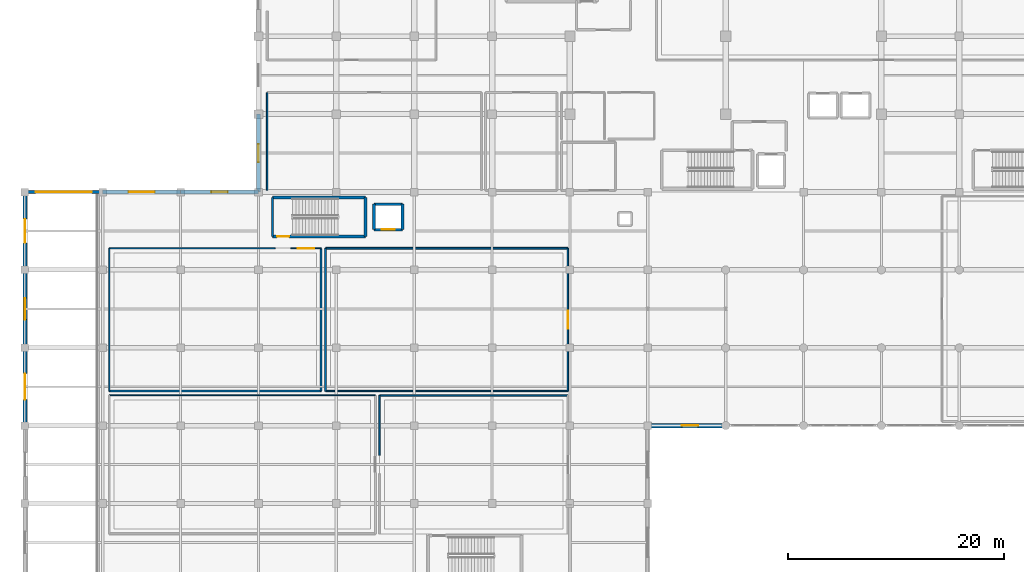
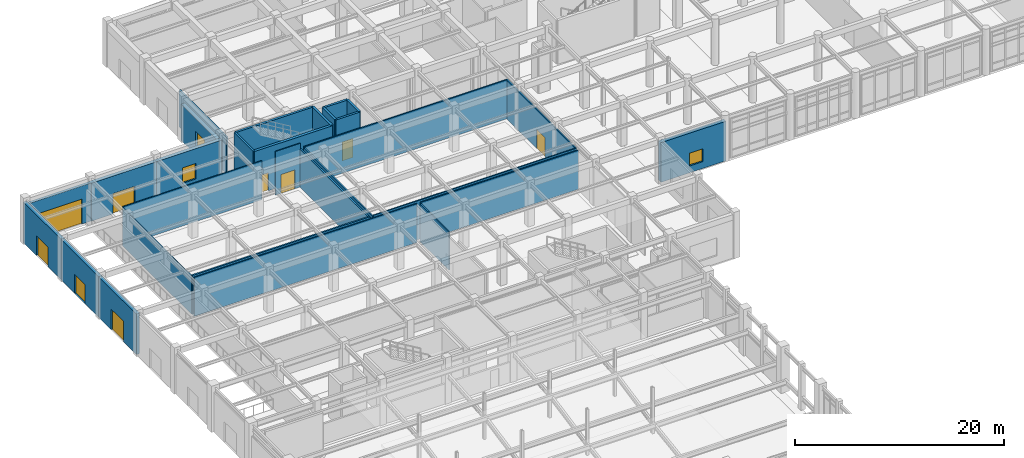
# One storey, part 75 of 102: 29 walls, 9 doors, 3 windows, 12 openings.
"""IFC4 building model written with IfcOpenShell, lengths in metres."""

from ifc_helpers import new_model, si_unit, direction, frame, frame_2d, origin, place, context, subcontext, project, spatial, rectangle, extrude, material, layer, layer_set, type_object, element, fill, save


model = new_model("IFC4")

# Units and contexts
model_context = context("Model", 3, precision=1e-05, world=origin(), true_north=direction((0.0, 1.0)))
body_context = subcontext(model_context, "Body", "Model", "MODEL_VIEW")
ifc_project = project(units=[si_unit("LENGTHUNIT", "METRE"), si_unit("AREAUNIT", "SQUARE_METRE"), si_unit("VOLUMEUNIT", "CUBIC_METRE"), si_unit("PLANEANGLEUNIT", "RADIAN"), si_unit("MASSUNIT", "GRAM", prefix="KILO")], contexts=[model_context])

# Site, building, storey
site_placement = place(None, origin())
site = spatial("IfcSite", under=ifc_project, at=site_placement, CompositionType="ELEMENT")
building_placement = place(site_placement, origin())
building = spatial("IfcBuilding", under=site, at=building_placement, Name="Carrowvane Square Congress Hotel", CompositionType="ELEMENT")
storey_placement = place(building_placement, origin())
storey = spatial("IfcBuildingStorey", under=building, at=storey_placement, Name="L00", CompositionType="ELEMENT", Elevation=0.0)

# Wall, opening, door
ifc_material_1 = material(Name="Portland limestone cladding", Category="masonry")
ifc_layer_1 = layer(ifc_material_1, 0.3798828125)
ifc_layer_set_1 = layer_set([ifc_layer_1], Name="Portland limestone cladding")
wall_type_1 = type_object("IfcWallType", Name="WL-EXT-LS380", PredefinedType="STANDARD", material=ifc_layer_set_1)
wall_1_placement = place(storey_placement, frame((11.60009765625, 70.199951171875, 0.0), z_axis=(0.0, 0.0, 1.0), x_axis=(0.0, 1.0, 0.0)))
wall_1 = element("IfcWall", 1, at=wall_1_placement, inside=storey, type_object=wall_type_1, Name="L00 exterior facade wall 141", PredefinedType="STANDARD", context=body_context, shape_type="SweptSolid", body=[
    extrude(rectangle(XDim=7.199951171875, YDim=0.3798828125, at=frame_2d((3.60009765625, 0.0))), origin(), (0.0, 0.0, 1.0), 4.72705078125),
])
opening_1_placement = place(wall_1_placement, frame((2.39990234375, 0.0, 0.0)))
opening_1 = element("IfcOpeningElement", 2, at=opening_1_placement, cuts=wall_1, Name="Opening ED-3", PredefinedType="OPENING", context=body_context, shape_type="SweptSolid", body=[
    extrude(rectangle(XDim=2.39990234375, YDim=2.39990234375, at=frame_2d((1.199951171875, 1.199951171875))), frame((0.0, 0.199951171875, 0.0), z_axis=(0.0, -1.0, 0.0), x_axis=(1.0, 0.0, 0.0)), (0.0, 0.0, 1.0), 0.39990234375),
])
ifc_material_2 = material(Name="Anodised aluminium", Category="aluminium")
door_type_1 = type_object("IfcDoorType", Name="DR-EXIT-2400", OperationType="DOUBLE_DOOR_SINGLE_SWING", PredefinedType="DOOR", material=ifc_material_2)
door_1_placement = place(opening_1_placement, origin())
door_1 = element("IfcDoor", 3, at=door_1_placement, inside=storey, type_object=door_type_1, Name="L00 final exit door ED-08", OperationType="DOUBLE_DOOR_SINGLE_SWING", OverallHeight=2.39990234375, OverallWidth=2.39990234375, PredefinedType="DOOR", context=body_context, shape_type="SweptSolid", body=[
    extrude(rectangle(XDim=2.39990234375, YDim=2.39990234375, at=frame_2d((1.199951171875, 1.199951171875))), frame((0.0, 0.02490234375, 0.0), z_axis=(0.0, -1.0, 0.0), x_axis=(1.0, 0.0, 0.0)), (0.0, 0.0, 1.0), 0.050048828125),
])
fill(opening_1, door_1)

wall_2_placement = place(storey_placement, frame((11.60009765625, 77.39990234375, 0.0), z_axis=(0.0, 0.0, 1.0), x_axis=(0.0, 1.0, 0.0)))
wall_2 = element("IfcWall", 4, at=wall_2_placement, inside=storey, type_object=wall_type_1, Name="L00 exterior facade wall 142", PredefinedType="STANDARD", context=body_context, shape_type="SweptSolid", body=[
    extrude(rectangle(XDim=7.2001953125, YDim=0.3798828125, at=frame_2d((3.60009765625, 0.0))), origin(), (0.0, 0.0, 1.0), 4.72705078125),
])
opening_2_placement = place(wall_2_placement, frame((2.60009765625, 0.0, 0.0)))
opening_2 = element("IfcOpeningElement", 5, at=opening_2_placement, cuts=wall_2, Name="Opening ED-1", PredefinedType="OPENING", context=body_context, shape_type="SweptSolid", body=[
    extrude(rectangle(XDim=2.0, YDim=2.199951171875, at=frame_2d((1.0, 1.10009765625))), frame((0.0, 0.199951171875, 0.0), z_axis=(0.0, -1.0, 0.0), x_axis=(1.0, 0.0, 0.0)), (0.0, 0.0, 1.0), 0.39990234375),
])
ifc_material_3 = material(Name="Anodised aluminium", Category="aluminium")
door_type_2 = type_object("IfcDoorType", Name="DR-EXIT-2000", OperationType="DOUBLE_DOOR_SINGLE_SWING", PredefinedType="DOOR", material=ifc_material_3)
door_2_placement = place(opening_2_placement, origin())
door_2 = element("IfcDoor", 6, at=door_2_placement, inside=storey, type_object=door_type_2, Name="L00 final exit door ED-09", OperationType="DOUBLE_DOOR_SINGLE_SWING", OverallHeight=2.199951171875, OverallWidth=2.0, PredefinedType="DOOR", context=body_context, shape_type="SweptSolid", body=[
    extrude(rectangle(XDim=2.0, YDim=2.199951171875, at=frame_2d((1.0, 1.10009765625))), frame((0.0, 0.02490234375, 0.0), z_axis=(0.0, -1.0, 0.0), x_axis=(1.0, 0.0, 0.0)), (0.0, 0.0, 1.0), 0.050048828125),
])
fill(opening_2, door_2)

wall_3_placement = place(storey_placement, frame((11.60009765625, 84.60009765625, 0.0), z_axis=(0.0, 0.0, 1.0), x_axis=(0.0, 1.0, 0.0)))
wall_3 = element("IfcWall", 7, at=wall_3_placement, inside=storey, type_object=wall_type_1, Name="L00 exterior facade wall 143", PredefinedType="STANDARD", context=body_context, shape_type="SweptSolid", body=[
    extrude(rectangle(XDim=7.199951171875, YDim=0.3798828125, at=frame_2d((3.60009765625, 0.0))), origin(), (0.0, 0.0, 1.0), 4.72705078125),
])
opening_3_placement = place(wall_3_placement, frame((2.5, 0.0, 0.0)))
opening_3 = element("IfcOpeningElement", 8, at=opening_3_placement, cuts=wall_3, Name="Opening ED-2", PredefinedType="OPENING", context=body_context, shape_type="SweptSolid", body=[
    extrude(rectangle(XDim=2.199951171875, YDim=2.300048828125, at=frame_2d((1.10009765625, 1.14990234375))), frame((0.0, 0.199951171875, 0.0), z_axis=(0.0, -1.0, 0.0), x_axis=(1.0, 0.0, 0.0)), (0.0, 0.0, 1.0), 0.39990234375),
])
ifc_material_4 = material(Name="Anodised aluminium", Category="aluminium")
door_type_3 = type_object("IfcDoorType", Name="DR-EXIT-2200", OperationType="DOUBLE_DOOR_SINGLE_SWING", PredefinedType="DOOR", material=ifc_material_4)
door_3_placement = place(opening_3_placement, origin())
door_3 = element("IfcDoor", 9, at=door_3_placement, inside=storey, type_object=door_type_3, Name="L00 final exit door ED-10", OperationType="DOUBLE_DOOR_SINGLE_SWING", OverallHeight=2.300048828125, OverallWidth=2.199951171875, PredefinedType="DOOR", context=body_context, shape_type="SweptSolid", body=[
    extrude(rectangle(XDim=2.199951171875, YDim=2.300048828125, at=frame_2d((1.10009765625, 1.14990234375))), frame((0.0, 0.02490234375, 0.0), z_axis=(0.0, -1.0, 0.0), x_axis=(1.0, 0.0, 0.0)), (0.0, 0.0, 1.0), 0.050048828125),
])
fill(opening_3, door_3)

# Wall, opening, window
ifc_material_5 = material(Name="Portland limestone cladding", Category="masonry")
ifc_layer_2 = layer(ifc_material_5, 0.419921875)
ifc_layer_set_2 = layer_set([ifc_layer_2], Name="Portland limestone cladding")
wall_type_2 = type_object("IfcWallType", Name="WL-EXT-LS420", PredefinedType="STANDARD", material=ifc_layer_set_2)
wall_4_placement = place(storey_placement, frame((76.39990234375, 70.199951171875, 0.0), z_axis=(0.0, 0.0, 1.0), x_axis=(-1.0, 0.0, 0.0)))
wall_4 = element("IfcWall", 10, at=wall_4_placement, inside=storey, type_object=wall_type_2, Name="L00 exterior facade wall 190", PredefinedType="STANDARD", context=body_context, shape_type="SweptSolid", body=[
    extrude(rectangle(XDim=7.199951171875, YDim=0.419921875, at=frame_2d((3.60009765625, 0.0))), origin(), (0.0, 0.0, 1.0), 4.625),
])
opening_4_placement = place(wall_4_placement, frame((2.550048828125, 0.0, 0.800048828125)))
opening_4 = element("IfcOpeningElement", 11, at=opening_4_placement, cuts=wall_4, Name="Opening W-15", PredefinedType="OPENING", context=body_context, shape_type="SweptSolid", body=[
    extrude(rectangle(XDim=1.5, YDim=1.5, at=frame_2d((0.75, 0.75))), frame((0.0, 0.219970703125, 0.0), z_axis=(0.0, -1.0, 0.0), x_axis=(1.0, 0.0, 0.0)), (0.0, 0.0, 1.0), 0.43994140625),
])
ifc_material_6 = material(Name="Double-glazed low-E glass", Category="glass")
window_type_1 = type_object("IfcWindowType", Name="WIN-15", PartitioningType="SINGLE_PANEL", PredefinedType="WINDOW", material=ifc_material_6)
window_1_placement = place(opening_4_placement, origin())
window_1 = element("IfcWindow", 12, at=window_1_placement, inside=storey, type_object=window_type_1, Name="L00 facade window 26", OverallHeight=1.5, OverallWidth=1.5, PartitioningType="SINGLE_PANEL", PredefinedType="WINDOW", context=body_context, shape_type="SweptSolid", body=[
    extrude(rectangle(XDim=1.5, YDim=1.5, at=frame_2d((0.75, 0.75))), frame((0.0, 0.030029296875, 0.0), z_axis=(0.0, -1.0, 0.0), x_axis=(1.0, 0.0, 0.0)), (0.0, 0.0, 1.0), 0.06005859375),
])
fill(opening_4, window_1)

# Wall, opening, door
ifc_material_7 = material(Name="Precast concrete C40/50", Category="concrete")
ifc_layer_3 = layer(ifc_material_7, 0.2900390625)
ifc_layer_set_3 = layer_set([ifc_layer_3], Name="Precast concrete C40/50")
wall_type_3 = type_object("IfcWallType", Name="WL-EXT-PC290", PredefinedType="STANDARD", material=ifc_layer_set_3)
wall_5_placement = place(storey_placement, frame((11.60009765625, 91.800048828125, 0.0), z_axis=(0.0, 0.0, 1.0), x_axis=(1.0, 0.0, 0.0)))
wall_5 = element("IfcWall", 13, at=wall_5_placement, inside=storey, type_object=wall_type_3, Name="L00 car park ramp portal wall", PredefinedType="STANDARD", context=body_context, shape_type="SweptSolid", body=[
    extrude(rectangle(XDim=7.199951171875, YDim=0.2900390625, at=frame_2d((3.60009765625, 0.0))), origin(), (0.0, 0.0, 1.0), 4.43505859375),
])
opening_5_placement = place(wall_5_placement, frame((1.0, 0.0, 0.0)))
opening_5 = element("IfcOpeningElement", 14, at=opening_5_placement, cuts=wall_5, Name="Opening VG-1", PredefinedType="OPENING", context=body_context, shape_type="SweptSolid", body=[
    extrude(rectangle(XDim=5.199951171875, YDim=2.89990234375, at=frame_2d((2.60009765625, 1.449951171875))), frame((0.0, 0.155029296875, 0.0), z_axis=(0.0, -1.0, 0.0), x_axis=(1.0, 0.0, 0.0)), (0.0, 0.0, 1.0), 0.31005859375),
])
ifc_material_8 = material(Name="Galvanised steel", Category="steel")
door_type_4 = type_object("IfcDoorType", Name="DR-GATE-5200", OperationType="ROLLINGUP", PredefinedType="GATE", material=ifc_material_8)
door_4_placement = place(opening_5_placement, origin())
door_4 = element("IfcDoor", 15, at=door_4_placement, inside=storey, type_object=door_type_4, Name="B01 vehicle ramp roller shutter gate", OperationType="ROLLINGUP", OverallHeight=2.89990234375, OverallWidth=5.199951171875, PredefinedType="GATE", context=body_context, shape_type="SweptSolid", body=[
    extrude(rectangle(XDim=5.199951171875, YDim=2.89990234375, at=frame_2d((2.60009765625, 1.449951171875))), frame((0.0, 0.02490234375, 0.0), z_axis=(0.0, -1.0, 0.0), x_axis=(1.0, 0.0, 0.0)), (0.0, 0.0, 1.0), 0.050048828125),
])
fill(opening_5, door_4)

ifc_material_9 = material(Name="Glazed terracotta rainscreen", Category="masonry")
ifc_layer_4 = layer(ifc_material_9, 0.39990234375)
ifc_layer_set_4 = layer_set([ifc_layer_4], Name="Glazed terracotta rainscreen")
wall_type_4 = type_object("IfcWallType", Name="WL-EXT-TC400", PredefinedType="STANDARD", material=ifc_layer_set_4)
wall_6_placement = place(storey_placement, frame((18.800048828125, 91.800048828125, 0.0), z_axis=(0.0, 0.0, 1.0), x_axis=(1.0, 0.0, 0.0)))
wall_6 = element("IfcWall", 16, at=wall_6_placement, inside=storey, type_object=wall_type_4, Name="L00 exterior facade wall 145", PredefinedType="STANDARD", context=body_context, shape_type="SweptSolid", body=[
    extrude(rectangle(XDim=7.199951171875, YDim=0.39990234375, at=frame_2d((3.60009765625, 0.0))), origin(), (0.0, 0.0, 1.0), 4.43505859375),
])
opening_6_placement = place(wall_6_placement, frame((2.39990234375, 0.0, 0.0)))
opening_6 = element("IfcOpeningElement", 17, at=opening_6_placement, cuts=wall_6, Name="Opening ED-3", PredefinedType="OPENING", context=body_context, shape_type="SweptSolid", body=[
    extrude(rectangle(XDim=2.39990234375, YDim=2.39990234375, at=frame_2d((1.199951171875, 1.199951171875))), frame((0.0, 0.2099609375, 0.0), z_axis=(0.0, -1.0, 0.0), x_axis=(1.0, 0.0, 0.0)), (0.0, 0.0, 1.0), 0.419921875),
])
door_5_placement = place(opening_6_placement, origin())
door_5 = element("IfcDoor", 18, at=door_5_placement, inside=storey, type_object=door_type_1, Name="L00 final exit door ED-11", OperationType="DOUBLE_DOOR_SINGLE_SWING", OverallHeight=2.39990234375, OverallWidth=2.39990234375, PredefinedType="DOOR", context=body_context, shape_type="SweptSolid", body=[
    extrude(rectangle(XDim=2.39990234375, YDim=2.39990234375, at=frame_2d((1.199951171875, 1.199951171875))), frame((0.0, 0.02490234375, 0.0), z_axis=(0.0, -1.0, 0.0), x_axis=(1.0, 0.0, 0.0)), (0.0, 0.0, 1.0), 0.050048828125),
])
fill(opening_6, door_5)

# Wall, opening, window
wall_7_placement = place(storey_placement, frame((26.0, 91.800048828125, 0.0), z_axis=(0.0, 0.0, 1.0), x_axis=(1.0, 0.0, 0.0)))
wall_7 = element("IfcWall", 19, at=wall_7_placement, inside=storey, type_object=wall_type_4, Name="L00 exterior facade wall 146", PredefinedType="STANDARD", context=body_context, shape_type="SweptSolid", body=[
    extrude(rectangle(XDim=7.199951171875, YDim=0.39990234375, at=frame_2d((3.60009765625, 0.0))), origin(), (0.0, 0.0, 1.0), 4.43505859375),
])
opening_7_placement = place(wall_7_placement, frame((2.85009765625, 0.0, 0.89990234375)))
opening_7 = element("IfcOpeningElement", 20, at=opening_7_placement, cuts=wall_7, Name="Opening W-03", PredefinedType="OPENING", context=body_context, shape_type="SweptSolid", body=[
    extrude(rectangle(XDim=1.5, YDim=1.800048828125, at=frame_2d((0.75, 0.89990234375))), frame((0.0, 0.2099609375, 0.0), z_axis=(0.0, -1.0, 0.0), x_axis=(1.0, 0.0, 0.0)), (0.0, 0.0, 1.0), 0.419921875),
])
ifc_material_10 = material(Name="Double-glazed low-E glass", Category="glass")
window_type_2 = type_object("IfcWindowType", Name="WIN-03", PartitioningType="SINGLE_PANEL", PredefinedType="WINDOW", material=ifc_material_10)
window_2_placement = place(opening_7_placement, origin())
window_2 = element("IfcWindow", 21, at=window_2_placement, inside=storey, type_object=window_type_2, Name="L00 facade window 1", OverallHeight=1.800048828125, OverallWidth=1.5, PartitioningType="SINGLE_PANEL", PredefinedType="WINDOW", context=body_context, shape_type="SweptSolid", body=[
    extrude(rectangle(XDim=1.5, YDim=1.800048828125, at=frame_2d((0.75, 0.89990234375))), frame((0.0, 0.030029296875, 0.0), z_axis=(0.0, -1.0, 0.0), x_axis=(1.0, 0.0, 0.0)), (0.0, 0.0, 1.0), 0.06005859375),
])
fill(opening_7, window_2)

wall_8_placement = place(storey_placement, frame((33.199951171875, 91.800048828125, 0.0), z_axis=(0.0, 0.0, 1.0), x_axis=(0.0, 1.0, 0.0)))
wall_8 = element("IfcWall", 22, at=wall_8_placement, inside=storey, type_object=wall_type_4, Name="L00 exterior facade wall 147", PredefinedType="STANDARD", context=body_context, shape_type="SweptSolid", body=[
    extrude(rectangle(XDim=7.199951171875, YDim=0.39990234375, at=frame_2d((3.60009765625, 0.0))), origin(), (0.0, 0.0, 1.0), 4.235107421875),
])
opening_8_placement = place(wall_8_placement, frame((2.77490234375, 0.0, 0.89990234375)))
opening_8 = element("IfcOpeningElement", 23, at=opening_8_placement, cuts=wall_8, Name="Opening W-04", PredefinedType="OPENING", context=body_context, shape_type="SweptSolid", body=[
    extrude(rectangle(XDim=1.64990234375, YDim=1.800048828125, at=frame_2d((0.824951171875, 0.89990234375))), frame((0.0, 0.2099609375, 0.0), z_axis=(0.0, -1.0, 0.0), x_axis=(1.0, 0.0, 0.0)), (0.0, 0.0, 1.0), 0.419921875),
])
ifc_material_11 = material(Name="Double-glazed low-E glass", Category="glass")
window_type_3 = type_object("IfcWindowType", Name="WIN-04", PartitioningType="SINGLE_PANEL", PredefinedType="WINDOW", material=ifc_material_11)
window_3_placement = place(opening_8_placement, origin())
window_3 = element("IfcWindow", 24, at=window_3_placement, inside=storey, type_object=window_type_3, Name="L00 facade window 2", OverallHeight=1.800048828125, OverallWidth=1.64990234375, PartitioningType="SINGLE_PANEL", PredefinedType="WINDOW", context=body_context, shape_type="SweptSolid", body=[
    extrude(rectangle(XDim=1.64990234375, YDim=1.800048828125, at=frame_2d((0.824951171875, 0.89990234375))), frame((0.0, 0.030029296875, 0.0), z_axis=(0.0, -1.0, 0.0), x_axis=(1.0, 0.0, 0.0)), (0.0, 0.0, 1.0), 0.06005859375),
])
fill(opening_8, window_3)

# Walls
ifc_material_12 = material(Name="Acoustic gypsum board", Category="gypsum")
ifc_layer_5 = layer(ifc_material_12, 0.155029296875)
ifc_layer_set_5 = layer_set([ifc_layer_5], Name="Acoustic gypsum board")
wall_type_5 = type_object("IfcWallType", Name="WL-FIR-155", PredefinedType="PARTITIONING", material=ifc_layer_set_5)
wall_9_placement = place(storey_placement, frame((39.39990234375, 73.39990234375, 0.0), z_axis=(0.0, 0.0, 1.0), x_axis=(0.0, 1.0, 0.0)))
element("IfcWall", 25, at=wall_9_placement, inside=storey, type_object=wall_type_5, Name="L00 Spa Female Changing and Lockers partition", PredefinedType="PARTITIONING", context=body_context, shape_type="SweptSolid", body=[
    extrude(rectangle(XDim=13.2001953125, YDim=0.155029296875, at=frame_2d((6.60009765625, 0.0))), origin(), (0.0, 0.0, 1.0), 4.43505859375),
])
wall_10_placement = place(storey_placement, frame((34.0, 91.9599609375, 0.0), z_axis=(0.0, 0.0, 1.0), x_axis=(0.0, 1.0, 0.0)))
element("IfcWall", 26, at=wall_10_placement, inside=storey, type_object=wall_type_5, Name="L00 Concierge and Guest Luggage Room partition", PredefinedType="PARTITIONING", context=body_context, shape_type="SweptSolid", body=[
    extrude(rectangle(XDim=9.0400390625, YDim=0.155029296875, at=frame_2d((4.52001953125, 0.0))), origin(), (0.0, 0.0, 1.0), 4.3349609375),
])
ifc_material_13 = material(Name="Acoustic gypsum board", Category="gypsum")
ifc_layer_6 = layer(ifc_material_13, 0.169921875)
ifc_layer_set_6 = layer_set([ifc_layer_6], Name="Acoustic gypsum board")
wall_type_6 = type_object("IfcWallType", Name="WL-FIR-170", PredefinedType="PARTITIONING", material=ifc_layer_set_6)
wall_11_placement = place(storey_placement, frame((39.0, 73.39990234375, 0.0), z_axis=(0.0, 0.0, 1.0), x_axis=(-1.0, 0.0, 0.0)))
element("IfcWall", 27, at=wall_11_placement, inside=storey, type_object=wall_type_6, Name="L00 Spa Male Changing and Lockers partition", PredefinedType="PARTITIONING", context=body_context, shape_type="SweptSolid", body=[
    extrude(rectangle(XDim=19.60009765625, YDim=0.169921875, at=frame_2d((9.800048828125, 0.0))), origin(), (0.0, 0.0, 1.0), 4.54833984375),
])
ifc_material_14 = material(Name="Acoustic gypsum board", Category="gypsum")
ifc_layer_7 = layer(ifc_material_14, 0.18505859375)
ifc_layer_set_7 = layer_set([ifc_layer_7], Name="Acoustic gypsum board")
wall_type_7 = type_object("IfcWallType", Name="WL-FIR-185", PredefinedType="PARTITIONING", material=ifc_layer_set_7)
wall_12_placement = place(storey_placement, frame((39.0, 86.60009765625, 0.0), z_axis=(0.0, 0.0, 1.0), x_axis=(0.0, -1.0, 0.0)))
element("IfcWall", 28, at=wall_12_placement, inside=storey, type_object=wall_type_7, Name="L00 Spa Male Changing and Lockers partition", PredefinedType="PARTITIONING", context=body_context, shape_type="SweptSolid", body=[
    extrude(rectangle(XDim=13.2001953125, YDim=0.18505859375, at=frame_2d((6.60009765625, 0.0))), origin(), (0.0, 0.0, 1.0), 4.43505859375),
])
ifc_material_15 = material(Name="Acoustic gypsum board", Category="gypsum")
ifc_layer_8 = layer(ifc_material_15, 0.097900390625)
ifc_layer_set_8 = layer_set([ifc_layer_8], Name="Acoustic gypsum board")
wall_type_8 = type_object("IfcWallType", Name="WL-PRT-098", PredefinedType="PARTITIONING", material=ifc_layer_set_8)
wall_13_placement = place(storey_placement, frame((19.39990234375, 73.0, 0.0), z_axis=(0.0, 0.0, 1.0), x_axis=(1.0, 0.0, 0.0)))
element("IfcWall", 29, at=wall_13_placement, inside=storey, type_object=wall_type_8, Name="L00 Thermal Spa Reception Lounge partition", PredefinedType="PARTITIONING", context=body_context, shape_type="SweptSolid", body=[
    extrude(rectangle(XDim=24.60009765625, YDim=0.097900390625, at=frame_2d((12.300048828125, 0.0))), origin(), (0.0, 0.0, 1.0), 4.54833984375),
])

# Wall, opening, door
wall_14_placement = place(storey_placement, frame((36.205078125, 86.60009765625, 0.0), z_axis=(0.0, 0.0, 1.0), x_axis=(1.0, 0.0, 0.0)))
wall_14 = element("IfcWall", 30, at=wall_14_placement, inside=storey, type_object=wall_type_8, Name="L00 Spa Male Changing and Lockers partition", PredefinedType="PARTITIONING", context=body_context, shape_type="SweptSolid", body=[
    extrude(rectangle(XDim=2.794921875, YDim=0.097900390625, at=frame_2d((1.3974609375, 0.0))), origin(), (0.0, 0.0, 1.0), 5.10009765625),
])
opening_9_placement = place(wall_14_placement, frame((0.6474609375, 0.0, 0.0)))
opening_9 = element("IfcOpeningElement", 31, at=opening_9_placement, cuts=wall_14, Name="Opening ID-11", PredefinedType="OPENING", context=body_context, shape_type="SweptSolid", body=[
    extrude(rectangle(XDim=1.5, YDim=2.199951171875, at=frame_2d((0.75, 1.10009765625))), frame((0.0, 0.058837890625, 0.0), z_axis=(0.0, -1.0, 0.0), x_axis=(1.0, 0.0, 0.0)), (0.0, 0.0, 1.0), 0.117919921875),
])
ifc_material_16 = material(Name="European oak timber", Category="wood")
door_type_5 = type_object("IfcDoorType", Name="DR-INT-1500x2200", OperationType="DOUBLE_DOOR_SINGLE_SWING", PredefinedType="DOOR", material=ifc_material_16)
door_6_placement = place(opening_9_placement, origin())
door_6 = element("IfcDoor", 32, at=door_6_placement, inside=storey, type_object=door_type_5, Name="L00 Spa Male Changing and Lockers entrance door", OperationType="DOUBLE_DOOR_SINGLE_SWING", OverallHeight=2.199951171875, OverallWidth=1.5, PredefinedType="DOOR", context=body_context, shape_type="SweptSolid", body=[
    extrude(rectangle(XDim=1.5, YDim=2.199951171875, at=frame_2d((0.75, 1.10009765625))), frame((0.0, 0.02490234375, 0.0), z_axis=(0.0, -1.0, 0.0), x_axis=(1.0, 0.0, 0.0)), (0.0, 0.0, 1.0), 0.050048828125),
])
fill(opening_9, door_6)

# Walls
ifc_material_17 = material(Name="Acoustic gypsum board", Category="gypsum")
ifc_layer_9 = layer(ifc_material_17, 0.10791015625)
ifc_layer_set_9 = layer_set([ifc_layer_9], Name="Acoustic gypsum board")
wall_type_9 = type_object("IfcWallType", Name="WL-PRT-108", PredefinedType="PARTITIONING", material=ifc_layer_set_9)
wall_15_placement = place(storey_placement, frame((19.39990234375, 86.60009765625, 0.0), z_axis=(0.0, 0.0, 1.0), x_axis=(1.0, 0.0, 0.0)))
element("IfcWall", 33, at=wall_15_placement, inside=storey, type_object=wall_type_9, Name="L00 Spa Male Changing and Lockers partition", PredefinedType="PARTITIONING", context=body_context, shape_type="SweptSolid", body=[
    extrude(rectangle(XDim=15.34521484375, YDim=0.10791015625, at=frame_2d((7.672607421875, 0.0))), origin(), (0.0, 0.0, 1.0), 4.54833984375),
])
ifc_material_18 = material(Name="Acoustic gypsum board", Category="gypsum")
ifc_layer_10 = layer(ifc_material_18, 0.117919921875)
ifc_layer_set_10 = layer_set([ifc_layer_10], Name="Acoustic gypsum board")
wall_type_10 = type_object("IfcWallType", Name="WL-PRT-118", PredefinedType="PARTITIONING", material=ifc_layer_set_10)
wall_16_placement = place(storey_placement, frame((19.39990234375, 73.39990234375, 0.0), z_axis=(0.0, 0.0, 1.0), x_axis=(0.0, 1.0, 0.0)))
element("IfcWall", 34, at=wall_16_placement, inside=storey, type_object=wall_type_10, Name="L00 Spa Male Changing and Lockers partition", PredefinedType="PARTITIONING", context=body_context, shape_type="SweptSolid", body=[
    extrude(rectangle(XDim=13.2001953125, YDim=0.117919921875, at=frame_2d((6.60009765625, 0.0))), origin(), (0.0, 0.0, 1.0), 4.43505859375),
])
ifc_material_19 = material(Name="Acoustic gypsum board", Category="gypsum")
ifc_layer_11 = layer(ifc_material_19, 0.1279296875)
ifc_layer_set_11 = layer_set([ifc_layer_11], Name="Acoustic gypsum board")
wall_type_11 = type_object("IfcWallType", Name="WL-PRT-128", PredefinedType="PARTITIONING", material=ifc_layer_set_11)
wall_17_placement = place(storey_placement, frame((61.800048828125, 73.39990234375, 0.0), z_axis=(0.0, 0.0, 1.0), x_axis=(-1.0, 0.0, 0.0)))
element("IfcWall", 35, at=wall_17_placement, inside=storey, type_object=wall_type_11, Name="L00 Spa Female Changing and Lockers partition", PredefinedType="PARTITIONING", context=body_context, shape_type="SweptSolid", body=[
    extrude(rectangle(XDim=22.400146484375, YDim=0.1279296875, at=frame_2d((11.2001953125, 0.0))), origin(), (0.0, 0.0, 1.0), 4.54833984375),
])
ifc_material_20 = material(Name="Acoustic gypsum board", Category="gypsum")
ifc_layer_12 = layer(ifc_material_20, 0.137939453125)
ifc_layer_set_12 = layer_set([ifc_layer_12], Name="Acoustic gypsum board")
wall_type_12 = type_object("IfcWallType", Name="WL-PRT-138", PredefinedType="PARTITIONING", material=ifc_layer_set_12)
wall_18_placement = place(storey_placement, frame((44.39990234375, 73.0, 0.0), z_axis=(0.0, 0.0, 1.0), x_axis=(1.0, 0.0, 0.0)))
element("IfcWall", 36, at=wall_18_placement, inside=storey, type_object=wall_type_12, Name="L00 Botanical Wellness Cafe partition", PredefinedType="PARTITIONING", context=body_context, shape_type="SweptSolid", body=[
    extrude(rectangle(XDim=17.400146484375, YDim=0.137939453125, at=frame_2d((8.7001953125, 0.0))), origin(), (0.0, 0.0, 1.0), 4.54833984375),
])

# Wall, opening, door
wall_19_placement = place(storey_placement, frame((61.800048828125, 86.60009765625, 0.0), z_axis=(0.0, 0.0, 1.0), x_axis=(0.0, -1.0, 0.0)))
wall_19 = element("IfcWall", 37, at=wall_19_placement, inside=storey, type_object=wall_type_12, Name="L00 Spa Female Changing and Lockers partition", PredefinedType="PARTITIONING", context=body_context, shape_type="SweptSolid", body=[
    extrude(rectangle(XDim=13.2001953125, YDim=0.137939453125, at=frame_2d((6.60009765625, 0.0))), origin(), (0.0, 0.0, 1.0), 4.54833984375),
])
opening_10_placement = place(wall_19_placement, frame((5.77490234375, 0.0, 0.0)))
opening_10 = element("IfcOpeningElement", 38, at=opening_10_placement, cuts=wall_19, Name="Opening ID-12", PredefinedType="OPENING", context=body_context, shape_type="SweptSolid", body=[
    extrude(rectangle(XDim=1.64990234375, YDim=2.25, at=frame_2d((0.824951171875, 1.125))), frame((0.0, 0.078857421875, 0.0), z_axis=(0.0, -1.0, 0.0), x_axis=(1.0, 0.0, 0.0)), (0.0, 0.0, 1.0), 0.157958984375),
])
ifc_material_21 = material(Name="European oak timber", Category="wood")
door_type_6 = type_object("IfcDoorType", Name="DR-INT-1650x2250", OperationType="DOUBLE_DOOR_SINGLE_SWING", PredefinedType="DOOR", material=ifc_material_21)
door_7_placement = place(opening_10_placement, origin())
door_7 = element("IfcDoor", 39, at=door_7_placement, inside=storey, type_object=door_type_6, Name="L00 Spa Female Changing and Lockers entrance door", OperationType="DOUBLE_DOOR_SINGLE_SWING", OverallHeight=2.25, OverallWidth=1.64990234375, PredefinedType="DOOR", context=body_context, shape_type="SweptSolid", body=[
    extrude(rectangle(XDim=1.64990234375, YDim=2.25, at=frame_2d((0.824951171875, 1.125))), frame((0.0, 0.02490234375, 0.0), z_axis=(0.0, -1.0, 0.0), x_axis=(1.0, 0.0, 0.0)), (0.0, 0.0, 1.0), 0.050048828125),
])
fill(opening_10, door_7)

# Walls
ifc_material_22 = material(Name="Acoustic gypsum board", Category="gypsum")
ifc_layer_13 = layer(ifc_material_22, 0.14794921875)
ifc_layer_set_13 = layer_set([ifc_layer_13], Name="Acoustic gypsum board")
wall_type_13 = type_object("IfcWallType", Name="WL-PRT-148", PredefinedType="PARTITIONING", material=ifc_layer_set_13)
wall_20_placement = place(storey_placement, frame((44.39990234375, 67.4599609375, 0.0), z_axis=(0.0, 0.0, 1.0), x_axis=(0.0, 1.0, 0.0)))
element("IfcWall", 40, at=wall_20_placement, inside=storey, type_object=wall_type_13, Name="L00 Botanical Wellness Cafe partition", PredefinedType="PARTITIONING", context=body_context, shape_type="SweptSolid", body=[
    extrude(rectangle(XDim=5.5400390625, YDim=0.14794921875, at=frame_2d((2.77001953125, 0.0))), origin(), (0.0, 0.0, 1.0), 4.43505859375),
])
wall_21_placement = place(storey_placement, frame((39.39990234375, 86.60009765625, 0.0), z_axis=(0.0, 0.0, 1.0), x_axis=(1.0, 0.0, 0.0)))
element("IfcWall", 41, at=wall_21_placement, inside=storey, type_object=wall_type_13, Name="L00 Spa Female Changing and Lockers partition", PredefinedType="PARTITIONING", context=body_context, shape_type="SweptSolid", body=[
    extrude(rectangle(XDim=22.400146484375, YDim=0.14794921875, at=frame_2d((11.2001953125, 0.0))), origin(), (0.0, 0.0, 1.0), 4.54833984375),
])
ifc_material_23 = material(Name="Concrete C40/50", Category="concrete")
ifc_layer_14 = layer(ifc_material_23, 0.22509765625)
ifc_layer_set_14 = layer_set([ifc_layer_14], Name="Concrete C40/50")
wall_type_14 = type_object("IfcWallType", Name="WL-SHR-225", PredefinedType="SHEAR", material=ifc_layer_set_14)
wall_22_placement = place(storey_placement, frame((34.5, 91.300048828125, 0.0), z_axis=(0.0, 0.0, 1.0), x_axis=(0.0, -1.0, 0.0)))
element("IfcWall", 42, at=wall_22_placement, inside=storey, type_object=wall_type_14, Name="L00 ST5 core wall west", PredefinedType="SHEAR", context=body_context, shape_type="SweptSolid", body=[
    extrude(rectangle(XDim=3.60009765625, YDim=0.22509765625, at=frame_2d((1.800048828125, 0.0))), origin(), (0.0, 0.0, 1.0), 5.10009765625),
])
ifc_material_24 = material(Name="Concrete C40/50", Category="concrete")
ifc_layer_15 = layer(ifc_material_24, 0.25)
ifc_layer_set_15 = layer_set([ifc_layer_15], Name="Concrete C40/50")
wall_type_15 = type_object("IfcWallType", Name="WL-SHR-250", PredefinedType="SHEAR", material=ifc_layer_set_15)
wall_23_placement = place(storey_placement, frame((43.10009765625, 91.300048828125, 0.0), z_axis=(0.0, 0.0, 1.0), x_axis=(-1.0, 0.0, 0.0)))
element("IfcWall", 43, at=wall_23_placement, inside=storey, type_object=wall_type_15, Name="L00 ST5 core wall north", PredefinedType="SHEAR", context=body_context, shape_type="SweptSolid", body=[
    extrude(rectangle(XDim=8.60009765625, YDim=0.25, at=frame_2d((4.300048828125, 0.0))), origin(), (0.0, 0.0, 1.0), 5.10009765625),
])

# Wall, opening, door
wall_24_placement = place(storey_placement, frame((43.875, 88.324951171875, 0.0), z_axis=(0.0, 0.0, 1.0), x_axis=(1.0, 0.0, 0.0)))
wall_24 = element("IfcWall", 44, at=wall_24_placement, inside=storey, type_object=wall_type_15, Name="L00 CL-2 shaft wall south", PredefinedType="SHEAR", context=body_context, shape_type="SweptSolid", body=[
    extrude(rectangle(XDim=2.64990234375, YDim=0.25, at=frame_2d((1.324951171875, 0.0))), origin(), (0.0, 0.0, 1.0), 5.10009765625),
])
opening_11_placement = place(wall_24_placement, frame((0.72509765625, 0.0, 0.0)))
opening_11 = element("IfcOpeningElement", 45, at=opening_11_placement, cuts=wall_24, Name="Opening LD-CL-2", PredefinedType="OPENING", context=body_context, shape_type="SweptSolid", body=[
    extrude(rectangle(XDim=1.199951171875, YDim=2.199951171875, at=frame_2d((0.60009765625, 1.10009765625))), frame((0.0, 0.135009765625, 0.0), z_axis=(0.0, -1.0, 0.0), x_axis=(1.0, 0.0, 0.0)), (0.0, 0.0, 1.0), 0.27001953125),
])
ifc_material_25 = material(Name="Stainless steel 316", Category="steel")
door_type_7 = type_object("IfcDoorType", Name="DR-LD-1200x2200", OperationType="DOUBLE_DOOR_SLIDING", PredefinedType="DOOR", material=ifc_material_25)
door_8_placement = place(opening_11_placement, origin())
door_8 = element("IfcDoor", 46, at=door_8_placement, inside=storey, type_object=door_type_7, Name="L00 CL-2 sliding lift landing door", OperationType="DOUBLE_DOOR_SLIDING", OverallHeight=2.199951171875, OverallWidth=1.199951171875, PredefinedType="DOOR", context=body_context, shape_type="SweptSolid", body=[
    extrude(rectangle(XDim=1.199951171875, YDim=2.199951171875, at=frame_2d((0.60009765625, 1.10009765625))), frame((0.0, 0.02490234375, 0.0), z_axis=(0.0, -1.0, 0.0), x_axis=(1.0, 0.0, 0.0)), (0.0, 0.0, 1.0), 0.050048828125),
])
fill(opening_11, door_8)

# Walls
wall_25_placement = place(storey_placement, frame((46.52490234375, 88.324951171875, 0.0), z_axis=(0.0, 0.0, 1.0), x_axis=(0.0, 1.0, 0.0)))
element("IfcWall", 47, at=wall_25_placement, inside=storey, type_object=wall_type_15, Name="L00 CL-2 shaft wall east", PredefinedType="SHEAR", context=body_context, shape_type="SweptSolid", body=[
    extrude(rectangle(XDim=2.35009765625, YDim=0.25, at=frame_2d((1.175048828125, 0.0))), origin(), (0.0, 0.0, 1.0), 5.10009765625),
])
wall_26_placement = place(storey_placement, frame((46.52490234375, 90.675048828125, 0.0), z_axis=(0.0, 0.0, 1.0), x_axis=(-1.0, 0.0, 0.0)))
element("IfcWall", 48, at=wall_26_placement, inside=storey, type_object=wall_type_15, Name="L00 CL-2 shaft wall north", PredefinedType="SHEAR", context=body_context, shape_type="SweptSolid", body=[
    extrude(rectangle(XDim=2.64990234375, YDim=0.25, at=frame_2d((1.324951171875, 0.0))), origin(), (0.0, 0.0, 1.0), 5.10009765625),
])
wall_27_placement = place(storey_placement, frame((43.875, 90.675048828125, 0.0), z_axis=(0.0, 0.0, 1.0), x_axis=(0.0, -1.0, 0.0)))
element("IfcWall", 49, at=wall_27_placement, inside=storey, type_object=wall_type_15, Name="L00 CL-2 shaft wall west", PredefinedType="SHEAR", context=body_context, shape_type="SweptSolid", body=[
    extrude(rectangle(XDim=2.35009765625, YDim=0.25, at=frame_2d((1.175048828125, 0.0))), origin(), (0.0, 0.0, 1.0), 5.10009765625),
])
ifc_material_26 = material(Name="Concrete C40/50", Category="concrete")
ifc_layer_16 = layer(ifc_material_26, 0.27490234375)
ifc_layer_set_16 = layer_set([ifc_layer_16], Name="Concrete C40/50")
wall_type_16 = type_object("IfcWallType", Name="WL-SHR-275", PredefinedType="SHEAR", material=ifc_layer_set_16)
wall_28_placement = place(storey_placement, frame((43.10009765625, 87.699951171875, 0.0), z_axis=(0.0, 0.0, 1.0), x_axis=(0.0, 1.0, 0.0)))
element("IfcWall", 50, at=wall_28_placement, inside=storey, type_object=wall_type_16, Name="L00 ST5 core wall east", PredefinedType="SHEAR", context=body_context, shape_type="SweptSolid", body=[
    extrude(rectangle(XDim=3.60009765625, YDim=0.27490234375, at=frame_2d((1.800048828125, 0.0))), origin(), (0.0, 0.0, 1.0), 5.10009765625),
])

# Wall, opening, door
ifc_material_27 = material(Name="Concrete C40/50", Category="concrete")
ifc_layer_17 = layer(ifc_material_27, 0.300048828125)
ifc_layer_set_17 = layer_set([ifc_layer_17], Name="Concrete C40/50")
wall_type_17 = type_object("IfcWallType", Name="WL-SHR-300", PredefinedType="SHEAR", material=ifc_layer_set_17)
wall_29_placement = place(storey_placement, frame((34.5, 87.699951171875, 0.0), z_axis=(0.0, 0.0, 1.0), x_axis=(1.0, 0.0, 0.0)))
wall_29 = element("IfcWall", 51, at=wall_29_placement, inside=storey, type_object=wall_type_17, Name="L00 ST5 core wall south", PredefinedType="SHEAR", context=body_context, shape_type="SweptSolid", body=[
    extrude(rectangle(XDim=8.60009765625, YDim=0.300048828125, at=frame_2d((4.300048828125, 0.0))), origin(), (0.0, 0.0, 1.0), 5.10009765625),
])
opening_12_placement = place(wall_29_placement, frame((0.425048828125, 0.0, 0.0)))
opening_12 = element("IfcOpeningElement", 52, at=opening_12_placement, cuts=wall_29, Name="Opening FD-01", PredefinedType="OPENING", context=body_context, shape_type="SweptSolid", body=[
    extrude(rectangle(XDim=1.10009765625, YDim=2.10009765625, at=frame_2d((0.550048828125, 1.050048828125))), frame((0.0, 0.159912109375, 0.0), z_axis=(0.0, -1.0, 0.0), x_axis=(1.0, 0.0, 0.0)), (0.0, 0.0, 1.0), 0.320068359375),
])
ifc_material_28 = material(Name="European oak timber", Category="wood")
door_type_8 = type_object("IfcDoorType", Name="DR-FD60-1100x2100", OperationType="NOTDEFINED", PredefinedType="DOOR", material=ifc_material_28)
door_9_placement = place(opening_12_placement, origin())
door_9 = element("IfcDoor", 53, at=door_9_placement, inside=storey, type_object=door_type_8, Name="L00 ST5 fire door", OperationType="SINGLE_SWING_LEFT", OverallHeight=2.10009765625, OverallWidth=1.10009765625, PredefinedType="DOOR", context=body_context, shape_type="SweptSolid", body=[
    extrude(rectangle(XDim=1.10009765625, YDim=2.10009765625, at=frame_2d((0.550048828125, 1.050048828125))), frame((0.0, 0.02490234375, 0.0), z_axis=(0.0, -1.0, 0.0), x_axis=(1.0, 0.0, 0.0)), (0.0, 0.0, 1.0), 0.050048828125),
])
fill(opening_12, door_9)

save(model, "model.ifc")
